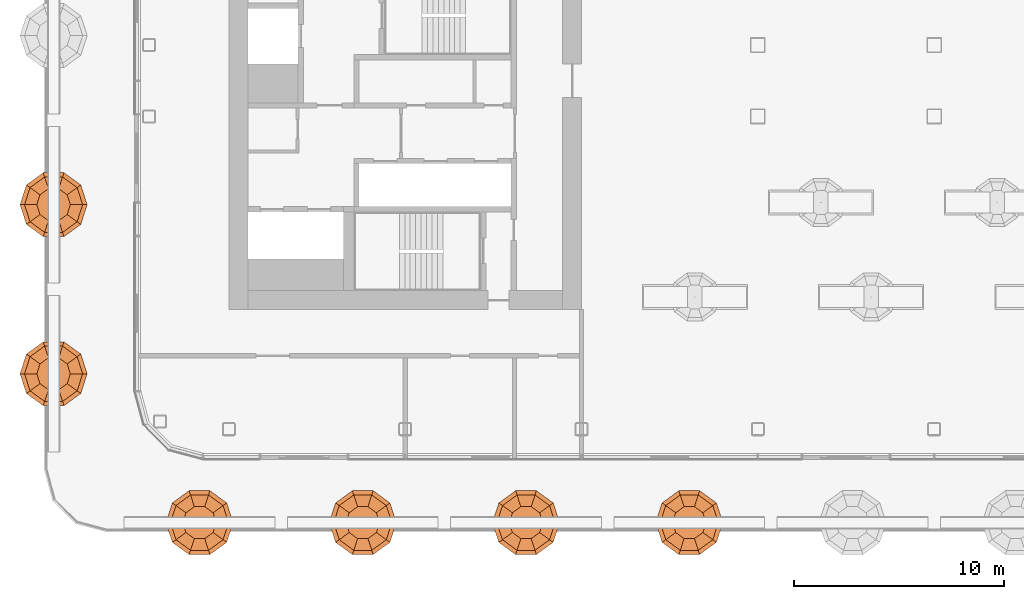
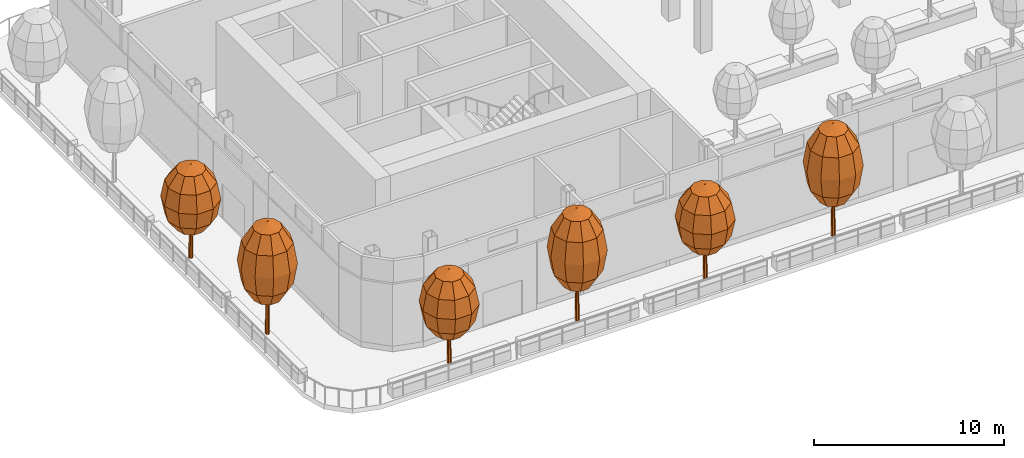
# One storey, part 36 of 41: 6 geographic elements.
"""IFC4 building model written with IfcOpenShell, lengths in metres."""

from ifc_helpers import new_model, si_unit, direction, frame, origin, place, context, subcontext, project, spatial, triangles, material, type_object, element, save


model = new_model("IFC4")

# Units and contexts
model_context = context("Model", 3, precision=1e-05, world=origin(), true_north=direction((0.0, 1.0)))
body_context = subcontext(model_context, "Body", "Model", "MODEL_VIEW")
ifc_project = project(units=[si_unit("LENGTHUNIT", "METRE"), si_unit("AREAUNIT", "SQUARE_METRE"), si_unit("VOLUMEUNIT", "CUBIC_METRE"), si_unit("PLANEANGLEUNIT", "RADIAN"), si_unit("MASSUNIT", "GRAM", prefix="KILO")], contexts=[model_context])

# Site, building, storey
site_placement = place(None, origin())
site = spatial("IfcSite", under=ifc_project, at=site_placement, CompositionType="ELEMENT")
building_placement = place(site_placement, origin())
building = spatial("IfcBuilding", under=site, at=building_placement, Name="Hakoniwa Tower and Hamabe Station Hall", CompositionType="ELEMENT")
storey_placement = place(building_placement, frame((0.0, 0.0, 180.199951171875)))
storey = spatial("IfcBuildingStorey", under=building, at=storey_placement, Name="L51", CompositionType="ELEMENT", Elevation=180.199951171875)

# Geographic elements
ifc_material_1 = material(Name="Tree foliage")
geographic_element_type_1 = type_object("IfcGeographicElementType", Name="Japanese maple 7.2 m", PredefinedType="USERDEFINED", material=ifc_material_1)
geographic_element_1_placement = place(storey_placement, frame((-41.950927734375, -11.458740234375, 0.900146484375)))
element("IfcGeographicElement", 1, at=geographic_element_1_placement, inside=storey, type_object=geographic_element_type_1, Name="Japanese maple 7-2 m", ObjectType="TREE", PredefinedType="USERDEFINED", context=body_context, shape_type="Tessellation", body=[
    triangles([(0.125, 0.0, 0.0), (0.08837890625, 0.08837890625, 0.0), (0.0, 0.125, 0.0), (-0.08837890625, 0.08837890625, 0.0), (-0.125, 0.0, 0.0), (-0.08837890625, -0.08837890625, 0.0), (0.0, -0.125, 0.0), (0.08837890625, -0.08837890625, 0.0), (0.074951171875, 0.0, 4.348876953125), (0.052978515625, 0.052978515625, 4.348876953125), (0.0, 0.074951171875, 4.348876953125), (-0.052978515625, 0.052978515625, 4.348876953125), (-0.074951171875, 0.0, 4.348876953125), (-0.052978515625, -0.052978515625, 4.348876953125), (0.0, -0.074951171875, 4.348876953125), (0.052978515625, -0.052978515625, 4.348876953125), (0.0, 0.0, 0.0), (0.0, 0.0, 4.348876953125)], [[1, 2, 10], [1, 10, 9], [17, 2, 1], [18, 9, 10], [2, 3, 11], [2, 11, 10], [17, 3, 2], [18, 10, 11], [3, 4, 12], [3, 12, 11], [17, 4, 3], [18, 11, 12], [4, 5, 13], [4, 13, 12], [17, 5, 4], [18, 12, 13], [5, 6, 14], [5, 14, 13], [17, 6, 5], [18, 13, 14], [6, 7, 15], [6, 15, 14], [17, 7, 6], [18, 14, 15], [7, 8, 16], [7, 16, 15], [17, 8, 7], [18, 15, 16], [8, 1, 9], [8, 9, 16], [17, 1, 8], [18, 16, 9]], closed=True),
    triangles([(0.0, 0.0, 2.015869140625), (0.800048828125, 0.0, 2.36328125), (0.647216796875, 0.47021484375, 2.36328125), (0.247314453125, 0.7607421875, 2.36328125), (-0.247314453125, 0.7607421875, 2.36328125), (-0.647216796875, 0.47021484375, 2.36328125), (-0.800048828125, 0.0, 2.36328125), (-0.647216796875, -0.47021484375, 2.36328125), (-0.247314453125, -0.7607421875, 2.36328125), (0.247314453125, -0.7607421875, 2.36328125), (0.647216796875, -0.47021484375, 2.36328125), (1.385498046875, 0.0, 3.31201171875), (1.12109375, 0.814453125, 3.31201171875), (0.42822265625, 1.31787109375, 3.31201171875), (-0.42822265625, 1.31787109375, 3.31201171875), (-1.12109375, 0.814453125, 3.31201171875), (-1.385498046875, 0.0, 3.31201171875), (-1.12109375, -0.814453125, 3.31201171875), (-0.42822265625, -1.31787109375, 3.31201171875), (0.42822265625, -1.31787109375, 3.31201171875), (1.12109375, -0.814453125, 3.31201171875), (1.60009765625, 0.0, 4.60791015625), (1.29443359375, 0.9404296875, 4.60791015625), (0.494384765625, 1.521728515625, 4.60791015625), (-0.494384765625, 1.521728515625, 4.60791015625), (-1.29443359375, 0.9404296875, 4.60791015625), (-1.60009765625, 0.0, 4.60791015625), (-1.29443359375, -0.9404296875, 4.60791015625), (-0.494384765625, -1.521728515625, 4.60791015625), (0.494384765625, -1.521728515625, 4.60791015625), (1.29443359375, -0.9404296875, 4.60791015625), (1.385498046875, 0.0, 5.904052734375), (1.12109375, 0.814453125, 5.904052734375), (0.42822265625, 1.31787109375, 5.904052734375), (-0.42822265625, 1.31787109375, 5.904052734375), (-1.12109375, 0.814453125, 5.904052734375), (-1.385498046875, 0.0, 5.904052734375), (-1.12109375, -0.814453125, 5.904052734375), (-0.42822265625, -1.31787109375, 5.904052734375), (0.42822265625, -1.31787109375, 5.904052734375), (1.12109375, -0.814453125, 5.904052734375), (0.800048828125, 0.0, 6.852783203125), (0.647216796875, 0.47021484375, 6.852783203125), (0.247314453125, 0.7607421875, 6.852783203125), (-0.247314453125, 0.7607421875, 6.852783203125), (-0.647216796875, 0.47021484375, 6.852783203125), (-0.800048828125, 0.0, 6.852783203125), (-0.647216796875, -0.47021484375, 6.852783203125), (-0.247314453125, -0.7607421875, 6.852783203125), (0.247314453125, -0.7607421875, 6.852783203125), (0.647216796875, -0.47021484375, 6.852783203125), (0.0, 0.0, 7.199951171875)], [[1, 3, 2], [1, 4, 3], [1, 5, 4], [1, 6, 5], [1, 7, 6], [1, 8, 7], [1, 9, 8], [1, 10, 9], [1, 11, 10], [1, 2, 11], [2, 3, 13], [2, 13, 12], [3, 4, 14], [3, 14, 13], [4, 5, 15], [4, 15, 14], [5, 6, 16], [5, 16, 15], [6, 7, 17], [6, 17, 16], [7, 8, 18], [7, 18, 17], [8, 9, 19], [8, 19, 18], [9, 10, 20], [9, 20, 19], [10, 11, 21], [10, 21, 20], [11, 2, 12], [11, 12, 21], [12, 13, 23], [12, 23, 22], [13, 14, 24], [13, 24, 23], [14, 15, 25], [14, 25, 24], [15, 16, 26], [15, 26, 25], [16, 17, 27], [16, 27, 26], [17, 18, 28], [17, 28, 27], [18, 19, 29], [18, 29, 28], [19, 20, 30], [19, 30, 29], [20, 21, 31], [20, 31, 30], [21, 12, 22], [21, 22, 31], [22, 23, 33], [22, 33, 32], [23, 24, 34], [23, 34, 33], [24, 25, 35], [24, 35, 34], [25, 26, 36], [25, 36, 35], [26, 27, 37], [26, 37, 36], [27, 28, 38], [27, 38, 37], [28, 29, 39], [28, 39, 38], [29, 30, 40], [29, 40, 39], [30, 31, 41], [30, 41, 40], [31, 22, 32], [31, 32, 41], [32, 33, 43], [32, 43, 42], [33, 34, 44], [33, 44, 43], [34, 35, 45], [34, 45, 44], [35, 36, 46], [35, 46, 45], [36, 37, 47], [36, 47, 46], [37, 38, 48], [37, 48, 47], [38, 39, 49], [38, 49, 48], [39, 40, 50], [39, 50, 49], [40, 41, 51], [40, 51, 50], [41, 32, 42], [41, 42, 51], [52, 42, 43], [52, 43, 44], [52, 44, 45], [52, 45, 46], [52, 46, 47], [52, 47, 48], [52, 48, 49], [52, 49, 50], [52, 50, 51], [52, 51, 42]], closed=True),
])
geographic_element_2_placement = place(storey_placement, frame((-27.220703125, -18.551025390625, 0.900146484375)))
element("IfcGeographicElement", 2, at=geographic_element_2_placement, inside=storey, type_object=geographic_element_type_1, Name="Japanese maple 7-2 m", ObjectType="TREE", PredefinedType="USERDEFINED", context=body_context, shape_type="Tessellation", body=[
    triangles([(0.125, 0.0, 0.0), (0.08837890625, 0.08837890625, 0.0), (0.0, 0.125, 0.0), (-0.08837890625, 0.08837890625, 0.0), (-0.125, 0.0, 0.0), (-0.08837890625, -0.08837890625, 0.0), (0.0, -0.125, 0.0), (0.08837890625, -0.08837890625, 0.0), (0.074951171875, 0.0, 4.348876953125), (0.052978515625, 0.052978515625, 4.348876953125), (0.0, 0.074951171875, 4.348876953125), (-0.052978515625, 0.052978515625, 4.348876953125), (-0.074951171875, 0.0, 4.348876953125), (-0.052978515625, -0.052978515625, 4.348876953125), (0.0, -0.074951171875, 4.348876953125), (0.052978515625, -0.052978515625, 4.348876953125), (0.0, 0.0, 0.0), (0.0, 0.0, 4.348876953125)], [[1, 2, 10], [1, 10, 9], [17, 2, 1], [18, 9, 10], [2, 3, 11], [2, 11, 10], [17, 3, 2], [18, 10, 11], [3, 4, 12], [3, 12, 11], [17, 4, 3], [18, 11, 12], [4, 5, 13], [4, 13, 12], [17, 5, 4], [18, 12, 13], [5, 6, 14], [5, 14, 13], [17, 6, 5], [18, 13, 14], [6, 7, 15], [6, 15, 14], [17, 7, 6], [18, 14, 15], [7, 8, 16], [7, 16, 15], [17, 8, 7], [18, 15, 16], [8, 1, 9], [8, 9, 16], [17, 1, 8], [18, 16, 9]], closed=True),
    triangles([(0.0, 0.0, 2.015869140625), (0.800048828125, 0.0, 2.36328125), (0.647216796875, 0.47021484375, 2.36328125), (0.247314453125, 0.7607421875, 2.36328125), (-0.247314453125, 0.7607421875, 2.36328125), (-0.647216796875, 0.47021484375, 2.36328125), (-0.800048828125, 0.0, 2.36328125), (-0.647216796875, -0.47021484375, 2.36328125), (-0.247314453125, -0.7607421875, 2.36328125), (0.247314453125, -0.7607421875, 2.36328125), (0.647216796875, -0.47021484375, 2.36328125), (1.385498046875, 0.0, 3.31201171875), (1.12109375, 0.814453125, 3.31201171875), (0.42822265625, 1.31787109375, 3.31201171875), (-0.42822265625, 1.31787109375, 3.31201171875), (-1.12109375, 0.814453125, 3.31201171875), (-1.385498046875, 0.0, 3.31201171875), (-1.12109375, -0.814453125, 3.31201171875), (-0.42822265625, -1.31787109375, 3.31201171875), (0.42822265625, -1.31787109375, 3.31201171875), (1.12109375, -0.814453125, 3.31201171875), (1.60009765625, 0.0, 4.60791015625), (1.29443359375, 0.9404296875, 4.60791015625), (0.494384765625, 1.521728515625, 4.60791015625), (-0.494384765625, 1.521728515625, 4.60791015625), (-1.29443359375, 0.9404296875, 4.60791015625), (-1.60009765625, 0.0, 4.60791015625), (-1.29443359375, -0.9404296875, 4.60791015625), (-0.494384765625, -1.521728515625, 4.60791015625), (0.494384765625, -1.521728515625, 4.60791015625), (1.29443359375, -0.9404296875, 4.60791015625), (1.385498046875, 0.0, 5.904052734375), (1.12109375, 0.814453125, 5.904052734375), (0.42822265625, 1.31787109375, 5.904052734375), (-0.42822265625, 1.31787109375, 5.904052734375), (-1.12109375, 0.814453125, 5.904052734375), (-1.385498046875, 0.0, 5.904052734375), (-1.12109375, -0.814453125, 5.904052734375), (-0.42822265625, -1.31787109375, 5.904052734375), (0.42822265625, -1.31787109375, 5.904052734375), (1.12109375, -0.814453125, 5.904052734375), (0.800048828125, 0.0, 6.852783203125), (0.647216796875, 0.47021484375, 6.852783203125), (0.247314453125, 0.7607421875, 6.852783203125), (-0.247314453125, 0.7607421875, 6.852783203125), (-0.647216796875, 0.47021484375, 6.852783203125), (-0.800048828125, 0.0, 6.852783203125), (-0.647216796875, -0.47021484375, 6.852783203125), (-0.247314453125, -0.7607421875, 6.852783203125), (0.247314453125, -0.7607421875, 6.852783203125), (0.647216796875, -0.47021484375, 6.852783203125), (0.0, 0.0, 7.199951171875)], [[1, 3, 2], [1, 4, 3], [1, 5, 4], [1, 6, 5], [1, 7, 6], [1, 8, 7], [1, 9, 8], [1, 10, 9], [1, 11, 10], [1, 2, 11], [2, 3, 13], [2, 13, 12], [3, 4, 14], [3, 14, 13], [4, 5, 15], [4, 15, 14], [5, 6, 16], [5, 16, 15], [6, 7, 17], [6, 17, 16], [7, 8, 18], [7, 18, 17], [8, 9, 19], [8, 19, 18], [9, 10, 20], [9, 20, 19], [10, 11, 21], [10, 21, 20], [11, 2, 12], [11, 12, 21], [12, 13, 23], [12, 23, 22], [13, 14, 24], [13, 24, 23], [14, 15, 25], [14, 25, 24], [15, 16, 26], [15, 26, 25], [16, 17, 27], [16, 27, 26], [17, 18, 28], [17, 28, 27], [18, 19, 29], [18, 29, 28], [19, 20, 30], [19, 30, 29], [20, 21, 31], [20, 31, 30], [21, 12, 22], [21, 22, 31], [22, 23, 33], [22, 33, 32], [23, 24, 34], [23, 34, 33], [24, 25, 35], [24, 35, 34], [25, 26, 36], [25, 36, 35], [26, 27, 37], [26, 37, 36], [27, 28, 38], [27, 38, 37], [28, 29, 39], [28, 39, 38], [29, 30, 40], [29, 40, 39], [30, 31, 41], [30, 41, 40], [31, 22, 32], [31, 32, 41], [32, 33, 43], [32, 43, 42], [33, 34, 44], [33, 44, 43], [34, 35, 45], [34, 45, 44], [35, 36, 46], [35, 46, 45], [36, 37, 47], [36, 47, 46], [37, 38, 48], [37, 48, 47], [38, 39, 49], [38, 49, 48], [39, 40, 50], [39, 50, 49], [40, 41, 51], [40, 51, 50], [41, 32, 42], [41, 42, 51], [52, 42, 43], [52, 43, 44], [52, 44, 45], [52, 45, 46], [52, 46, 47], [52, 47, 48], [52, 48, 49], [52, 49, 50], [52, 50, 51], [52, 51, 42]], closed=True),
])
geographic_element_3_placement = place(storey_placement, frame((-11.666015625, -18.551025390625, 0.900146484375)))
element("IfcGeographicElement", 3, at=geographic_element_3_placement, inside=storey, type_object=geographic_element_type_1, Name="Japanese maple 7-2 m", ObjectType="TREE", PredefinedType="USERDEFINED", context=body_context, shape_type="Tessellation", body=[
    triangles([(0.125, 0.0, 0.0), (0.08837890625, 0.08837890625, 0.0), (0.0, 0.125, 0.0), (-0.08837890625, 0.08837890625, 0.0), (-0.125, 0.0, 0.0), (-0.08837890625, -0.08837890625, 0.0), (0.0, -0.125, 0.0), (0.08837890625, -0.08837890625, 0.0), (0.074951171875, 0.0, 4.348876953125), (0.052978515625, 0.052978515625, 4.348876953125), (0.0, 0.074951171875, 4.348876953125), (-0.052978515625, 0.052978515625, 4.348876953125), (-0.074951171875, 0.0, 4.348876953125), (-0.052978515625, -0.052978515625, 4.348876953125), (0.0, -0.074951171875, 4.348876953125), (0.052978515625, -0.052978515625, 4.348876953125), (0.0, 0.0, 0.0), (0.0, 0.0, 4.348876953125)], [[1, 2, 10], [1, 10, 9], [17, 2, 1], [18, 9, 10], [2, 3, 11], [2, 11, 10], [17, 3, 2], [18, 10, 11], [3, 4, 12], [3, 12, 11], [17, 4, 3], [18, 11, 12], [4, 5, 13], [4, 13, 12], [17, 5, 4], [18, 12, 13], [5, 6, 14], [5, 14, 13], [17, 6, 5], [18, 13, 14], [6, 7, 15], [6, 15, 14], [17, 7, 6], [18, 14, 15], [7, 8, 16], [7, 16, 15], [17, 8, 7], [18, 15, 16], [8, 1, 9], [8, 9, 16], [17, 1, 8], [18, 16, 9]], closed=True),
    triangles([(0.0, 0.0, 2.015869140625), (0.800048828125, 0.0, 2.36328125), (0.647216796875, 0.47021484375, 2.36328125), (0.247314453125, 0.7607421875, 2.36328125), (-0.247314453125, 0.7607421875, 2.36328125), (-0.647216796875, 0.47021484375, 2.36328125), (-0.800048828125, 0.0, 2.36328125), (-0.647216796875, -0.47021484375, 2.36328125), (-0.247314453125, -0.7607421875, 2.36328125), (0.247314453125, -0.7607421875, 2.36328125), (0.647216796875, -0.47021484375, 2.36328125), (1.385498046875, 0.0, 3.31201171875), (1.12109375, 0.814453125, 3.31201171875), (0.42822265625, 1.31787109375, 3.31201171875), (-0.42822265625, 1.31787109375, 3.31201171875), (-1.12109375, 0.814453125, 3.31201171875), (-1.385498046875, 0.0, 3.31201171875), (-1.12109375, -0.814453125, 3.31201171875), (-0.42822265625, -1.31787109375, 3.31201171875), (0.42822265625, -1.31787109375, 3.31201171875), (1.12109375, -0.814453125, 3.31201171875), (1.60009765625, 0.0, 4.60791015625), (1.29443359375, 0.9404296875, 4.60791015625), (0.494384765625, 1.521728515625, 4.60791015625), (-0.494384765625, 1.521728515625, 4.60791015625), (-1.29443359375, 0.9404296875, 4.60791015625), (-1.60009765625, 0.0, 4.60791015625), (-1.29443359375, -0.9404296875, 4.60791015625), (-0.494384765625, -1.521728515625, 4.60791015625), (0.494384765625, -1.521728515625, 4.60791015625), (1.29443359375, -0.9404296875, 4.60791015625), (1.385498046875, 0.0, 5.904052734375), (1.12109375, 0.814453125, 5.904052734375), (0.42822265625, 1.31787109375, 5.904052734375), (-0.42822265625, 1.31787109375, 5.904052734375), (-1.12109375, 0.814453125, 5.904052734375), (-1.385498046875, 0.0, 5.904052734375), (-1.12109375, -0.814453125, 5.904052734375), (-0.42822265625, -1.31787109375, 5.904052734375), (0.42822265625, -1.31787109375, 5.904052734375), (1.12109375, -0.814453125, 5.904052734375), (0.800048828125, 0.0, 6.852783203125), (0.647216796875, 0.47021484375, 6.852783203125), (0.247314453125, 0.7607421875, 6.852783203125), (-0.247314453125, 0.7607421875, 6.852783203125), (-0.647216796875, 0.47021484375, 6.852783203125), (-0.800048828125, 0.0, 6.852783203125), (-0.647216796875, -0.47021484375, 6.852783203125), (-0.247314453125, -0.7607421875, 6.852783203125), (0.247314453125, -0.7607421875, 6.852783203125), (0.647216796875, -0.47021484375, 6.852783203125), (0.0, 0.0, 7.199951171875)], [[1, 3, 2], [1, 4, 3], [1, 5, 4], [1, 6, 5], [1, 7, 6], [1, 8, 7], [1, 9, 8], [1, 10, 9], [1, 11, 10], [1, 2, 11], [2, 3, 13], [2, 13, 12], [3, 4, 14], [3, 14, 13], [4, 5, 15], [4, 15, 14], [5, 6, 16], [5, 16, 15], [6, 7, 17], [6, 17, 16], [7, 8, 18], [7, 18, 17], [8, 9, 19], [8, 19, 18], [9, 10, 20], [9, 20, 19], [10, 11, 21], [10, 21, 20], [11, 2, 12], [11, 12, 21], [12, 13, 23], [12, 23, 22], [13, 14, 24], [13, 24, 23], [14, 15, 25], [14, 25, 24], [15, 16, 26], [15, 26, 25], [16, 17, 27], [16, 27, 26], [17, 18, 28], [17, 28, 27], [18, 19, 29], [18, 29, 28], [19, 20, 30], [19, 30, 29], [20, 21, 31], [20, 31, 30], [21, 12, 22], [21, 22, 31], [22, 23, 33], [22, 33, 32], [23, 24, 34], [23, 34, 33], [24, 25, 35], [24, 35, 34], [25, 26, 36], [25, 36, 35], [26, 27, 37], [26, 37, 36], [27, 28, 38], [27, 38, 37], [28, 29, 39], [28, 39, 38], [29, 30, 40], [29, 40, 39], [30, 31, 41], [30, 41, 40], [31, 22, 32], [31, 32, 41], [32, 33, 43], [32, 43, 42], [33, 34, 44], [33, 44, 43], [34, 35, 45], [34, 45, 44], [35, 36, 46], [35, 46, 45], [36, 37, 47], [36, 47, 46], [37, 38, 48], [37, 48, 47], [38, 39, 49], [38, 49, 48], [39, 40, 50], [39, 50, 49], [40, 41, 51], [40, 51, 50], [41, 32, 42], [41, 42, 51], [52, 42, 43], [52, 43, 44], [52, 44, 45], [52, 45, 46], [52, 46, 47], [52, 47, 48], [52, 48, 49], [52, 49, 50], [52, 50, 51], [52, 51, 42]], closed=True),
])
ifc_material_2 = material(Name="Tree foliage")
geographic_element_type_2 = type_object("IfcGeographicElementType", Name="Osmanthus 6.0 m", PredefinedType="USERDEFINED", material=ifc_material_2)
geographic_element_4_placement = place(storey_placement, frame((-41.950927734375, -3.40283203125, 0.900146484375)))
element("IfcGeographicElement", 4, at=geographic_element_4_placement, inside=storey, type_object=geographic_element_type_2, Name="Osmanthus 6-0 m", ObjectType="TREE", PredefinedType="USERDEFINED", context=body_context, shape_type="Tessellation", body=[
    triangles([(0.125, 0.0, 0.0), (0.08837890625, 0.08837890625, 0.0), (0.0, 0.125, 0.0), (-0.08837890625, 0.08837890625, 0.0), (-0.125, 0.0, 0.0), (-0.08837890625, -0.08837890625, 0.0), (0.0, -0.125, 0.0), (0.08837890625, -0.08837890625, 0.0), (0.074951171875, 0.0, 3.6240234375), (0.052978515625, 0.052978515625, 3.6240234375), (0.0, 0.074951171875, 3.6240234375), (-0.052978515625, 0.052978515625, 3.6240234375), (-0.074951171875, 0.0, 3.6240234375), (-0.052978515625, -0.052978515625, 3.6240234375), (0.0, -0.074951171875, 3.6240234375), (0.052978515625, -0.052978515625, 3.6240234375), (0.0, 0.0, 0.0), (0.0, 0.0, 3.6240234375)], [[1, 2, 10], [1, 10, 9], [17, 2, 1], [18, 9, 10], [2, 3, 11], [2, 11, 10], [17, 3, 2], [18, 10, 11], [3, 4, 12], [3, 12, 11], [17, 4, 3], [18, 11, 12], [4, 5, 13], [4, 13, 12], [17, 5, 4], [18, 12, 13], [5, 6, 14], [5, 14, 13], [17, 6, 5], [18, 13, 14], [6, 7, 15], [6, 15, 14], [17, 7, 6], [18, 14, 15], [7, 8, 16], [7, 16, 15], [17, 8, 7], [18, 15, 16], [8, 1, 9], [8, 9, 16], [17, 1, 8], [18, 16, 9]], closed=True),
    triangles([(0.0, 0.0, 1.679931640625), (0.800048828125, 0.0, 1.969482421875), (0.647216796875, 0.47021484375, 1.969482421875), (0.247314453125, 0.7607421875, 1.969482421875), (-0.247314453125, 0.7607421875, 1.969482421875), (-0.647216796875, 0.47021484375, 1.969482421875), (-0.800048828125, 0.0, 1.969482421875), (-0.647216796875, -0.47021484375, 1.969482421875), (-0.247314453125, -0.7607421875, 1.969482421875), (0.247314453125, -0.7607421875, 1.969482421875), (0.647216796875, -0.47021484375, 1.969482421875), (1.385498046875, 0.0, 2.760009765625), (1.12109375, 0.814453125, 2.760009765625), (0.42822265625, 1.31787109375, 2.760009765625), (-0.42822265625, 1.31787109375, 2.760009765625), (-1.12109375, 0.814453125, 2.760009765625), (-1.385498046875, 0.0, 2.760009765625), (-1.12109375, -0.814453125, 2.760009765625), (-0.42822265625, -1.31787109375, 2.760009765625), (0.42822265625, -1.31787109375, 2.760009765625), (1.12109375, -0.814453125, 2.760009765625), (1.60009765625, 0.0, 3.840087890625), (1.29443359375, 0.9404296875, 3.840087890625), (0.494384765625, 1.521728515625, 3.840087890625), (-0.494384765625, 1.521728515625, 3.840087890625), (-1.29443359375, 0.9404296875, 3.840087890625), (-1.60009765625, 0.0, 3.840087890625), (-1.29443359375, -0.9404296875, 3.840087890625), (-0.494384765625, -1.521728515625, 3.840087890625), (0.494384765625, -1.521728515625, 3.840087890625), (1.29443359375, -0.9404296875, 3.840087890625), (1.385498046875, 0.0, 4.919921875), (1.12109375, 0.814453125, 4.919921875), (0.42822265625, 1.31787109375, 4.919921875), (-0.42822265625, 1.31787109375, 4.919921875), (-1.12109375, 0.814453125, 4.919921875), (-1.385498046875, 0.0, 4.919921875), (-1.12109375, -0.814453125, 4.919921875), (-0.42822265625, -1.31787109375, 4.919921875), (0.42822265625, -1.31787109375, 4.919921875), (1.12109375, -0.814453125, 4.919921875), (0.800048828125, 0.0, 5.710693359375), (0.647216796875, 0.47021484375, 5.710693359375), (0.247314453125, 0.7607421875, 5.710693359375), (-0.247314453125, 0.7607421875, 5.710693359375), (-0.647216796875, 0.47021484375, 5.710693359375), (-0.800048828125, 0.0, 5.710693359375), (-0.647216796875, -0.47021484375, 5.710693359375), (-0.247314453125, -0.7607421875, 5.710693359375), (0.247314453125, -0.7607421875, 5.710693359375), (0.647216796875, -0.47021484375, 5.710693359375), (0.0, 0.0, 6.0)], [[1, 3, 2], [1, 4, 3], [1, 5, 4], [1, 6, 5], [1, 7, 6], [1, 8, 7], [1, 9, 8], [1, 10, 9], [1, 11, 10], [1, 2, 11], [2, 3, 13], [2, 13, 12], [3, 4, 14], [3, 14, 13], [4, 5, 15], [4, 15, 14], [5, 6, 16], [5, 16, 15], [6, 7, 17], [6, 17, 16], [7, 8, 18], [7, 18, 17], [8, 9, 19], [8, 19, 18], [9, 10, 20], [9, 20, 19], [10, 11, 21], [10, 21, 20], [11, 2, 12], [11, 12, 21], [12, 13, 23], [12, 23, 22], [13, 14, 24], [13, 24, 23], [14, 15, 25], [14, 25, 24], [15, 16, 26], [15, 26, 25], [16, 17, 27], [16, 27, 26], [17, 18, 28], [17, 28, 27], [18, 19, 29], [18, 29, 28], [19, 20, 30], [19, 30, 29], [20, 21, 31], [20, 31, 30], [21, 12, 22], [21, 22, 31], [22, 23, 33], [22, 33, 32], [23, 24, 34], [23, 34, 33], [24, 25, 35], [24, 35, 34], [25, 26, 36], [25, 36, 35], [26, 27, 37], [26, 37, 36], [27, 28, 38], [27, 38, 37], [28, 29, 39], [28, 39, 38], [29, 30, 40], [29, 40, 39], [30, 31, 41], [30, 41, 40], [31, 22, 32], [31, 32, 41], [32, 33, 43], [32, 43, 42], [33, 34, 44], [33, 44, 43], [34, 35, 45], [34, 45, 44], [35, 36, 46], [35, 46, 45], [36, 37, 47], [36, 47, 46], [37, 38, 48], [37, 48, 47], [38, 39, 49], [38, 49, 48], [39, 40, 50], [39, 50, 49], [40, 41, 51], [40, 51, 50], [41, 32, 42], [41, 42, 51], [52, 42, 43], [52, 43, 44], [52, 44, 45], [52, 45, 46], [52, 46, 47], [52, 47, 48], [52, 48, 49], [52, 49, 50], [52, 50, 51], [52, 51, 42]], closed=True),
])
geographic_element_5_placement = place(storey_placement, frame((-34.998046875, -18.551025390625, 0.900146484375)))
element("IfcGeographicElement", 5, at=geographic_element_5_placement, inside=storey, type_object=geographic_element_type_2, Name="Osmanthus 6-0 m", ObjectType="TREE", PredefinedType="USERDEFINED", context=body_context, shape_type="Tessellation", body=[
    triangles([(0.125, 0.0, 0.0), (0.08837890625, 0.08837890625, 0.0), (0.0, 0.125, 0.0), (-0.08837890625, 0.08837890625, 0.0), (-0.125, 0.0, 0.0), (-0.08837890625, -0.08837890625, 0.0), (0.0, -0.125, 0.0), (0.08837890625, -0.08837890625, 0.0), (0.074951171875, 0.0, 3.6240234375), (0.052978515625, 0.052978515625, 3.6240234375), (0.0, 0.074951171875, 3.6240234375), (-0.052978515625, 0.052978515625, 3.6240234375), (-0.074951171875, 0.0, 3.6240234375), (-0.052978515625, -0.052978515625, 3.6240234375), (0.0, -0.074951171875, 3.6240234375), (0.052978515625, -0.052978515625, 3.6240234375), (0.0, 0.0, 0.0), (0.0, 0.0, 3.6240234375)], [[1, 2, 10], [1, 10, 9], [17, 2, 1], [18, 9, 10], [2, 3, 11], [2, 11, 10], [17, 3, 2], [18, 10, 11], [3, 4, 12], [3, 12, 11], [17, 4, 3], [18, 11, 12], [4, 5, 13], [4, 13, 12], [17, 5, 4], [18, 12, 13], [5, 6, 14], [5, 14, 13], [17, 6, 5], [18, 13, 14], [6, 7, 15], [6, 15, 14], [17, 7, 6], [18, 14, 15], [7, 8, 16], [7, 16, 15], [17, 8, 7], [18, 15, 16], [8, 1, 9], [8, 9, 16], [17, 1, 8], [18, 16, 9]], closed=True),
    triangles([(0.0, 0.0, 1.679931640625), (0.800048828125, 0.0, 1.969482421875), (0.647216796875, 0.47021484375, 1.969482421875), (0.247314453125, 0.7607421875, 1.969482421875), (-0.247314453125, 0.7607421875, 1.969482421875), (-0.647216796875, 0.47021484375, 1.969482421875), (-0.800048828125, 0.0, 1.969482421875), (-0.647216796875, -0.47021484375, 1.969482421875), (-0.247314453125, -0.7607421875, 1.969482421875), (0.247314453125, -0.7607421875, 1.969482421875), (0.647216796875, -0.47021484375, 1.969482421875), (1.385498046875, 0.0, 2.760009765625), (1.12109375, 0.814453125, 2.760009765625), (0.42822265625, 1.31787109375, 2.760009765625), (-0.42822265625, 1.31787109375, 2.760009765625), (-1.12109375, 0.814453125, 2.760009765625), (-1.385498046875, 0.0, 2.760009765625), (-1.12109375, -0.814453125, 2.760009765625), (-0.42822265625, -1.31787109375, 2.760009765625), (0.42822265625, -1.31787109375, 2.760009765625), (1.12109375, -0.814453125, 2.760009765625), (1.60009765625, 0.0, 3.840087890625), (1.29443359375, 0.9404296875, 3.840087890625), (0.494384765625, 1.521728515625, 3.840087890625), (-0.494384765625, 1.521728515625, 3.840087890625), (-1.29443359375, 0.9404296875, 3.840087890625), (-1.60009765625, 0.0, 3.840087890625), (-1.29443359375, -0.9404296875, 3.840087890625), (-0.494384765625, -1.521728515625, 3.840087890625), (0.494384765625, -1.521728515625, 3.840087890625), (1.29443359375, -0.9404296875, 3.840087890625), (1.385498046875, 0.0, 4.919921875), (1.12109375, 0.814453125, 4.919921875), (0.42822265625, 1.31787109375, 4.919921875), (-0.42822265625, 1.31787109375, 4.919921875), (-1.12109375, 0.814453125, 4.919921875), (-1.385498046875, 0.0, 4.919921875), (-1.12109375, -0.814453125, 4.919921875), (-0.42822265625, -1.31787109375, 4.919921875), (0.42822265625, -1.31787109375, 4.919921875), (1.12109375, -0.814453125, 4.919921875), (0.800048828125, 0.0, 5.710693359375), (0.647216796875, 0.47021484375, 5.710693359375), (0.247314453125, 0.7607421875, 5.710693359375), (-0.247314453125, 0.7607421875, 5.710693359375), (-0.647216796875, 0.47021484375, 5.710693359375), (-0.800048828125, 0.0, 5.710693359375), (-0.647216796875, -0.47021484375, 5.710693359375), (-0.247314453125, -0.7607421875, 5.710693359375), (0.247314453125, -0.7607421875, 5.710693359375), (0.647216796875, -0.47021484375, 5.710693359375), (0.0, 0.0, 6.0)], [[1, 3, 2], [1, 4, 3], [1, 5, 4], [1, 6, 5], [1, 7, 6], [1, 8, 7], [1, 9, 8], [1, 10, 9], [1, 11, 10], [1, 2, 11], [2, 3, 13], [2, 13, 12], [3, 4, 14], [3, 14, 13], [4, 5, 15], [4, 15, 14], [5, 6, 16], [5, 16, 15], [6, 7, 17], [6, 17, 16], [7, 8, 18], [7, 18, 17], [8, 9, 19], [8, 19, 18], [9, 10, 20], [9, 20, 19], [10, 11, 21], [10, 21, 20], [11, 2, 12], [11, 12, 21], [12, 13, 23], [12, 23, 22], [13, 14, 24], [13, 24, 23], [14, 15, 25], [14, 25, 24], [15, 16, 26], [15, 26, 25], [16, 17, 27], [16, 27, 26], [17, 18, 28], [17, 28, 27], [18, 19, 29], [18, 29, 28], [19, 20, 30], [19, 30, 29], [20, 21, 31], [20, 31, 30], [21, 12, 22], [21, 22, 31], [22, 23, 33], [22, 33, 32], [23, 24, 34], [23, 34, 33], [24, 25, 35], [24, 35, 34], [25, 26, 36], [25, 36, 35], [26, 27, 37], [26, 37, 36], [27, 28, 38], [27, 38, 37], [28, 29, 39], [28, 39, 38], [29, 30, 40], [29, 40, 39], [30, 31, 41], [30, 41, 40], [31, 22, 32], [31, 32, 41], [32, 33, 43], [32, 43, 42], [33, 34, 44], [33, 44, 43], [34, 35, 45], [34, 45, 44], [35, 36, 46], [35, 46, 45], [36, 37, 47], [36, 47, 46], [37, 38, 48], [37, 48, 47], [38, 39, 49], [38, 49, 48], [39, 40, 50], [39, 50, 49], [40, 41, 51], [40, 51, 50], [41, 32, 42], [41, 42, 51], [52, 42, 43], [52, 43, 44], [52, 44, 45], [52, 45, 46], [52, 46, 47], [52, 47, 48], [52, 48, 49], [52, 49, 50], [52, 50, 51], [52, 51, 42]], closed=True),
])
geographic_element_6_placement = place(storey_placement, frame((-19.443359375, -18.551025390625, 0.900146484375)))
element("IfcGeographicElement", 6, at=geographic_element_6_placement, inside=storey, type_object=geographic_element_type_2, Name="Osmanthus 6-0 m", ObjectType="TREE", PredefinedType="USERDEFINED", context=body_context, shape_type="Tessellation", body=[
    triangles([(0.125, 0.0, 0.0), (0.08837890625, 0.08837890625, 0.0), (0.0, 0.125, 0.0), (-0.08837890625, 0.08837890625, 0.0), (-0.125, 0.0, 0.0), (-0.08837890625, -0.08837890625, 0.0), (0.0, -0.125, 0.0), (0.08837890625, -0.08837890625, 0.0), (0.074951171875, 0.0, 3.6240234375), (0.052978515625, 0.052978515625, 3.6240234375), (0.0, 0.074951171875, 3.6240234375), (-0.052978515625, 0.052978515625, 3.6240234375), (-0.074951171875, 0.0, 3.6240234375), (-0.052978515625, -0.052978515625, 3.6240234375), (0.0, -0.074951171875, 3.6240234375), (0.052978515625, -0.052978515625, 3.6240234375), (0.0, 0.0, 0.0), (0.0, 0.0, 3.6240234375)], [[1, 2, 10], [1, 10, 9], [17, 2, 1], [18, 9, 10], [2, 3, 11], [2, 11, 10], [17, 3, 2], [18, 10, 11], [3, 4, 12], [3, 12, 11], [17, 4, 3], [18, 11, 12], [4, 5, 13], [4, 13, 12], [17, 5, 4], [18, 12, 13], [5, 6, 14], [5, 14, 13], [17, 6, 5], [18, 13, 14], [6, 7, 15], [6, 15, 14], [17, 7, 6], [18, 14, 15], [7, 8, 16], [7, 16, 15], [17, 8, 7], [18, 15, 16], [8, 1, 9], [8, 9, 16], [17, 1, 8], [18, 16, 9]], closed=True),
    triangles([(0.0, 0.0, 1.679931640625), (0.800048828125, 0.0, 1.969482421875), (0.647216796875, 0.47021484375, 1.969482421875), (0.247314453125, 0.7607421875, 1.969482421875), (-0.247314453125, 0.7607421875, 1.969482421875), (-0.647216796875, 0.47021484375, 1.969482421875), (-0.800048828125, 0.0, 1.969482421875), (-0.647216796875, -0.47021484375, 1.969482421875), (-0.247314453125, -0.7607421875, 1.969482421875), (0.247314453125, -0.7607421875, 1.969482421875), (0.647216796875, -0.47021484375, 1.969482421875), (1.385498046875, 0.0, 2.760009765625), (1.12109375, 0.814453125, 2.760009765625), (0.42822265625, 1.31787109375, 2.760009765625), (-0.42822265625, 1.31787109375, 2.760009765625), (-1.12109375, 0.814453125, 2.760009765625), (-1.385498046875, 0.0, 2.760009765625), (-1.12109375, -0.814453125, 2.760009765625), (-0.42822265625, -1.31787109375, 2.760009765625), (0.42822265625, -1.31787109375, 2.760009765625), (1.12109375, -0.814453125, 2.760009765625), (1.60009765625, 0.0, 3.840087890625), (1.29443359375, 0.9404296875, 3.840087890625), (0.494384765625, 1.521728515625, 3.840087890625), (-0.494384765625, 1.521728515625, 3.840087890625), (-1.29443359375, 0.9404296875, 3.840087890625), (-1.60009765625, 0.0, 3.840087890625), (-1.29443359375, -0.9404296875, 3.840087890625), (-0.494384765625, -1.521728515625, 3.840087890625), (0.494384765625, -1.521728515625, 3.840087890625), (1.29443359375, -0.9404296875, 3.840087890625), (1.385498046875, 0.0, 4.919921875), (1.12109375, 0.814453125, 4.919921875), (0.42822265625, 1.31787109375, 4.919921875), (-0.42822265625, 1.31787109375, 4.919921875), (-1.12109375, 0.814453125, 4.919921875), (-1.385498046875, 0.0, 4.919921875), (-1.12109375, -0.814453125, 4.919921875), (-0.42822265625, -1.31787109375, 4.919921875), (0.42822265625, -1.31787109375, 4.919921875), (1.12109375, -0.814453125, 4.919921875), (0.800048828125, 0.0, 5.710693359375), (0.647216796875, 0.47021484375, 5.710693359375), (0.247314453125, 0.7607421875, 5.710693359375), (-0.247314453125, 0.7607421875, 5.710693359375), (-0.647216796875, 0.47021484375, 5.710693359375), (-0.800048828125, 0.0, 5.710693359375), (-0.647216796875, -0.47021484375, 5.710693359375), (-0.247314453125, -0.7607421875, 5.710693359375), (0.247314453125, -0.7607421875, 5.710693359375), (0.647216796875, -0.47021484375, 5.710693359375), (0.0, 0.0, 6.0)], [[1, 3, 2], [1, 4, 3], [1, 5, 4], [1, 6, 5], [1, 7, 6], [1, 8, 7], [1, 9, 8], [1, 10, 9], [1, 11, 10], [1, 2, 11], [2, 3, 13], [2, 13, 12], [3, 4, 14], [3, 14, 13], [4, 5, 15], [4, 15, 14], [5, 6, 16], [5, 16, 15], [6, 7, 17], [6, 17, 16], [7, 8, 18], [7, 18, 17], [8, 9, 19], [8, 19, 18], [9, 10, 20], [9, 20, 19], [10, 11, 21], [10, 21, 20], [11, 2, 12], [11, 12, 21], [12, 13, 23], [12, 23, 22], [13, 14, 24], [13, 24, 23], [14, 15, 25], [14, 25, 24], [15, 16, 26], [15, 26, 25], [16, 17, 27], [16, 27, 26], [17, 18, 28], [17, 28, 27], [18, 19, 29], [18, 29, 28], [19, 20, 30], [19, 30, 29], [20, 21, 31], [20, 31, 30], [21, 12, 22], [21, 22, 31], [22, 23, 33], [22, 33, 32], [23, 24, 34], [23, 34, 33], [24, 25, 35], [24, 35, 34], [25, 26, 36], [25, 36, 35], [26, 27, 37], [26, 37, 36], [27, 28, 38], [27, 38, 37], [28, 29, 39], [28, 39, 38], [29, 30, 40], [29, 40, 39], [30, 31, 41], [30, 41, 40], [31, 22, 32], [31, 32, 41], [32, 33, 43], [32, 43, 42], [33, 34, 44], [33, 44, 43], [34, 35, 45], [34, 45, 44], [35, 36, 46], [35, 46, 45], [36, 37, 47], [36, 47, 46], [37, 38, 48], [37, 48, 47], [38, 39, 49], [38, 49, 48], [39, 40, 50], [39, 50, 49], [40, 41, 51], [40, 51, 50], [41, 32, 42], [41, 42, 51], [52, 42, 43], [52, 43, 44], [52, 44, 45], [52, 45, 46], [52, 46, 47], [52, 47, 48], [52, 48, 49], [52, 49, 50], [52, 50, 51], [52, 51, 42]], closed=True),
])

save(model, "model.ifc")
